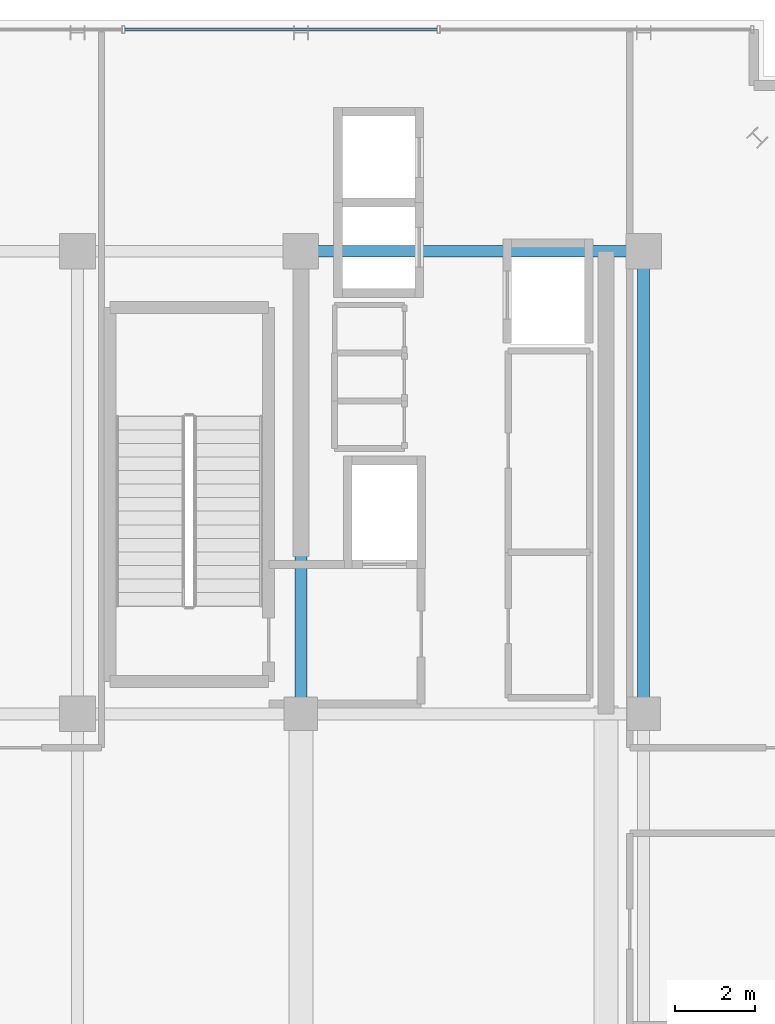
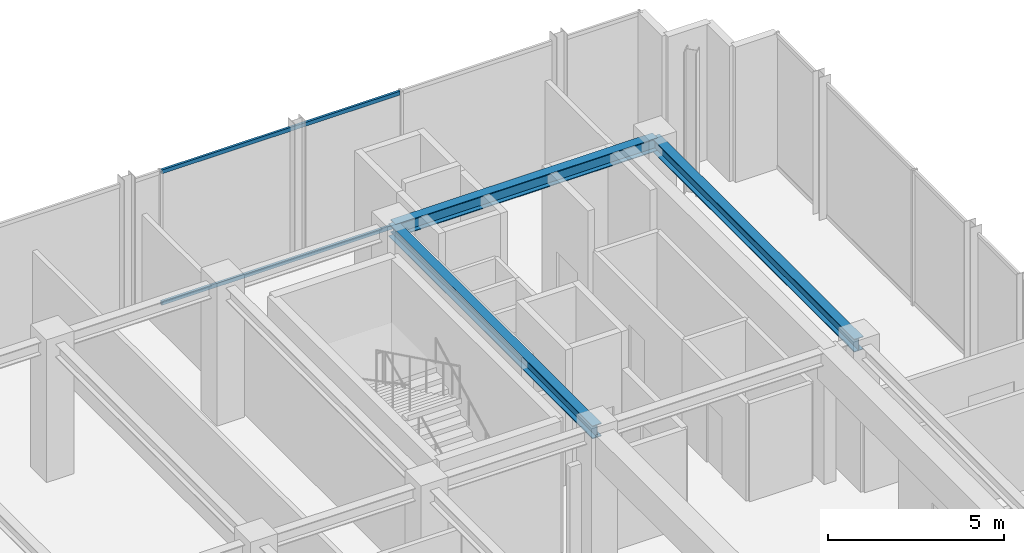
# One storey, part 20 of 28: 3 beams, 2 members, 1 element without a shape of its own.
"""IFC4 building model written with IfcOpenShell, lengths in metres."""

from ifc_helpers import new_model, si_unit, direction, frame, origin, origin_2d, place, context, subcontext, project, spatial, hollow_rectangle, i_section, extrude, source, transform, mapped, material, material_profile, profile_set, type_object, element, aggregate, save


model = new_model("IFC4")

# Units and contexts
model_context = context("Model", 3, precision=1e-05, world=origin(), true_north=direction((0.0, 1.0)))
body_context = subcontext(model_context, "Body", "Model", "MODEL_VIEW")
ifc_project = project(units=[si_unit("LENGTHUNIT", "METRE"), si_unit("AREAUNIT", "SQUARE_METRE"), si_unit("VOLUMEUNIT", "CUBIC_METRE"), si_unit("PLANEANGLEUNIT", "RADIAN"), si_unit("MASSUNIT", "GRAM", prefix="KILO")], contexts=[model_context])

# Site, building, storey
site_placement = place(None, origin())
site = spatial("IfcSite", under=ifc_project, at=site_placement, CompositionType="ELEMENT")
building_placement = place(site_placement, origin())
building = spatial("IfcBuilding", under=site, at=building_placement, Name="Nahalor Promenade Grand Hotel", CompositionType="ELEMENT")
storey_placement = place(building_placement, frame((0.0, 0.0, 352.050048828125)))
storey = spatial("IfcBuildingStorey", under=building, at=storey_placement, Name="L90", CompositionType="ELEMENT", Elevation=352.050048828125)

# Beams
ifc_material_1 = material(Name="Steel S355JR", Category="steel")
ifc_material_profile_1 = material_profile(ifc_material_1, i_section(OverallWidth=0.3, OverallDepth=0.45, WebThickness=0.014, FlangeThickness=0.026, at=origin_2d()), Name="HEB 450")
ifc_profile_set_1 = profile_set([ifc_material_profile_1], Name="Steel S355JR")
beam_type = type_object("IfcBeamType", Name="Beam-Girder-HEB450", PredefinedType="BEAM", material=ifc_profile_set_1)
shared_shape_1 = source(origin(), body_context, "Body", "SweptSolid", [
    extrude(i_section(OverallWidth=0.3, OverallDepth=0.45, WebThickness=0.014, FlangeThickness=0.026, at=origin_2d()), origin(), (0.0, 0.0, 1.0), 8.60009765625),
])
beam_placement = place(storey_placement, frame((8.39990234375, 17.0, 4.474853515625), z_axis=(1.0, 0.0, 0.0), x_axis=(0.0, 1.0, 0.0)))
element("IfcBeam", 1, at=beam_placement, inside=storey, type_object=beam_type, Name="BM-L90-GX-3-4", PredefinedType="BEAM", context=body_context, shape_type="MappedRepresentation", body=[
    mapped(shared_shape_1, transform((0.0, 0.0, 0.0), scale=1.0)),
])
shared_shape_2 = source(origin(), body_context, "Body", "SweptSolid", [
    extrude(i_section(OverallWidth=0.3, OverallDepth=0.45, WebThickness=0.014, FlangeThickness=0.026, at=origin_2d()), origin(), (0.0, 0.0, 1.0), 11.60009765625),
])
for number, where, z_axis, x_axis, name in (
    (2, (8.39990234375, 5.39990234375, 4.474853515625), (0.0, 1.0, 0.0), (-1.0, 0.0, 0.0), "BM-L90-GY-4-2"),
    (3, (17.0, 5.39990234375, 4.474853515625), (0.0, 1.0, 0.0), (-1.0, 0.0, 0.0), "BM-L90-GY-5-2"),
):
    element("IfcBeam", number, at=place(storey_placement, frame(where, z_axis=z_axis, x_axis=x_axis)), inside=storey, type_object=beam_type, Name=name, PredefinedType="BEAM", context=body_context, shape_type="MappedRepresentation", body=[
        mapped(shared_shape_2, transform((0.0, 0.0, 0.0), scale=1.0)),
    ])

# Curtain wall, members
ifc_material_2 = material(Name="Anodised Bronze Aluminium EN AW-6063 T6", Category="aluminium")
curtain_wall_type = type_object("IfcCurtainWallType", Name="CW6 Crown Botanical Conservatory Curtain Wall", PredefinedType="USERDEFINED", material=ifc_material_2)
curtain_wall_placement = place(storey_placement, origin())
curtain_wall = element("IfcCurtainWall", 4, at=curtain_wall_placement, inside=storey, type_object=curtain_wall_type, Name="L90 Curtain Wall CW-L90-N-1", ObjectType="UNITISED_CURTAIN_WALL", PredefinedType="USERDEFINED")
ifc_material_profile_2 = material_profile(ifc_material_2, hollow_rectangle(XDim=0.075, YDim=0.135, WallThickness=0.004, at=origin_2d()), Name="CWT 75x135x4")
ifc_profile_set_2 = profile_set([ifc_material_profile_2], Name="Anodised Bronze Aluminium EN AW-6063 T6")
member_type = type_object("IfcMemberType", Name="CWT6 Conservatory Transom 75x135", PredefinedType="USERDEFINED", material=ifc_profile_set_2)
shared_shape_3 = source(origin(), body_context, "Body", "SweptSolid", [
    extrude(hollow_rectangle(XDim=0.075, YDim=0.135, WallThickness=0.004, at=origin_2d()), origin(), (0.0, 0.0, 1.0), 7.8291015625),
])
member_1_placement = place(storey_placement, frame((3.989501953125, 22.56005859375, 0.0673828125), z_axis=(1.0, 0.0, 0.0), x_axis=(0.0, 1.0, 0.0)))
member_1 = element("IfcMember", 5, at=member_1_placement, type_object=member_type, Name="CW-L90-N-1 Transom 3-0", ObjectType="TRANSOM", PredefinedType="USERDEFINED", context=body_context, shape_type="MappedRepresentation", body=[
    mapped(shared_shape_3, transform((0.0, 0.0, 0.0), scale=1.0)),
])
member_2_placement = place(storey_placement, frame((3.989501953125, 22.56005859375, 4.632568359375), z_axis=(1.0, 0.0, 0.0), x_axis=(0.0, 1.0, 0.0)))
member_2 = element("IfcMember", 6, at=member_2_placement, type_object=member_type, Name="CW-L90-N-1 Transom 3-1", ObjectType="TRANSOM", PredefinedType="USERDEFINED", context=body_context, shape_type="MappedRepresentation", body=[
    mapped(shared_shape_3, transform((0.0, 0.0, 0.0), scale=1.0)),
])
aggregate(curtain_wall, [member_1, member_2])

save(model, "model.ifc")
